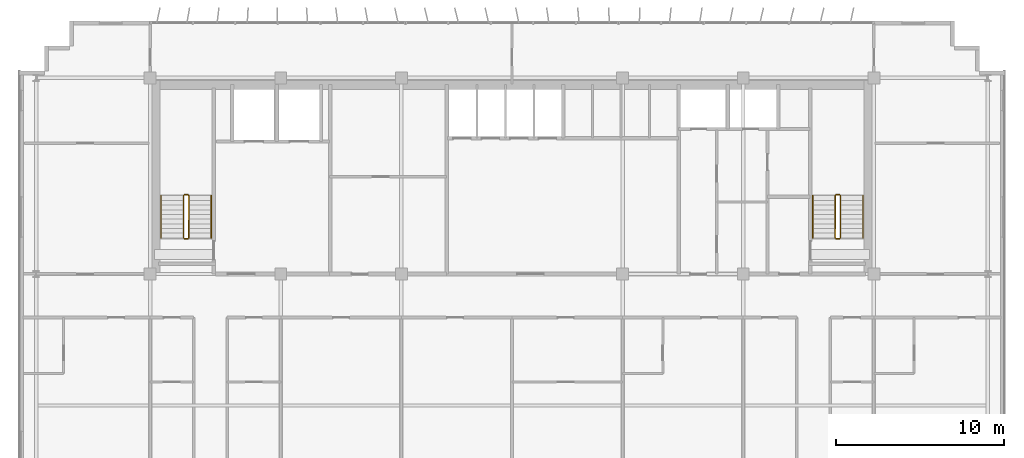
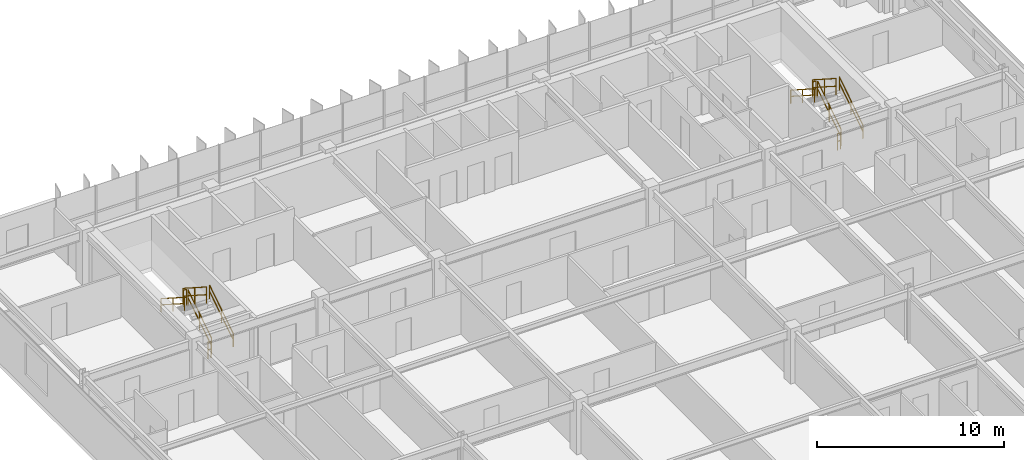
# One storey, part 20 of 20: 12 railings.
"""IFC4 building model written with IfcOpenShell, lengths in metres."""

import ifcopenshell
import ifcopenshell.guid

model = None  # the IFC model being written
_history = None  # IfcOwnerHistory: only IFC2X3 demands one
_inside = {}  # id of a spatial element -> (the spatial element, [elements in it])
_under = {}  # id of a project, library or spatial element -> (it, [spatial elements below it])
_declared = {}  # id of a project -> (the project, [libraries it declares])
_typed = {}  # id of a type object -> (the type object, [elements of that type])
_made_of = {}  # id of a material, layer set ... -> (it, [elements and type objects made of it])


def new_model(schema):
    """Start an empty IFC model of exactly this schema.

    Asked for "IFC4X3", IfcOpenShell would pick the latest addendum, in which some entities
    have other attributes; the version numbers below select the first issue.
    IFC2X3 requires an IfcOwnerHistory on every rooted entity: one is made here for all.
    """
    global model, _history
    if schema == "IFC4X3":
        model = ifcopenshell.file(schema_version=(4, 3, 0, 0))
    else:
        model = ifcopenshell.file(schema=schema)
    _inside.clear()
    _under.clear()
    _declared.clear()
    _typed.clear()
    _made_of.clear()
    _history = None
    if model.schema == "IFC2X3":
        org = make("IfcOrganization", Name="unknown")
        user = make(
            "IfcPersonAndOrganization",
            ThePerson=make("IfcPerson", FamilyName="unknown"),
            TheOrganization=org,
        )
        app = make(
            "IfcApplication",
            ApplicationDeveloper=org,
            Version="unknown",
            ApplicationFullName="unknown",
            ApplicationIdentifier="unknown",
        )
        _history = make(
            "IfcOwnerHistory",
            OwningUser=user,
            OwningApplication=app,
            ChangeAction="ADDED",
            CreationDate=0,
        )
    return model


def make(cls, **values):
    """One entity of the class cls with the attributes given. An attribute that is None is left unset."""
    return model.create_entity(
        cls, **{name: value for name, value in values.items() if value is not None}
    )


def rooted(cls, **values):
    """An entity with a GlobalId (a new one), such as an element, a storey or a relation."""
    return make(cls, GlobalId=ifcopenshell.guid.new(), OwnerHistory=_history, **values)


def si_unit(unit_type, name, prefix=None):
    """IfcSIUnit, for example si_unit("LENGTHUNIT", "METRE", prefix="MILLI")."""
    return make("IfcSIUnit", UnitType=unit_type, Prefix=prefix, Name=name)


def assignment(units):
    """IfcUnitAssignment: the units of a project."""
    return None if units is None else make("IfcUnitAssignment", Units=units)


def point(xyz):
    """IfcCartesianPoint."""
    return None if xyz is None else make("IfcCartesianPoint", Coordinates=xyz)


def direction(xyz):
    """IfcDirection."""
    return None if xyz is None else make("IfcDirection", DirectionRatios=xyz)


def frame(location, z_axis=None, x_axis=None):
    """IfcAxis2Placement3D, a coordinate frame: its origin and axes. An axis left out is left unset."""
    return make(
        "IfcAxis2Placement3D",
        Location=point(location),
        Axis=direction(z_axis),
        RefDirection=direction(x_axis),
    )


def frame_2d(location, x_axis=None):
    """IfcAxis2Placement2D, a coordinate frame in the plane: its origin and x axis."""
    return make(
        "IfcAxis2Placement2D", Location=point(location), RefDirection=direction(x_axis)
    )


def origin():
    """The frame at (0, 0, 0) with its axes left unset."""
    return frame((0.0, 0.0, 0.0))


def origin_2d():
    """The frame at (0, 0) in the plane with its x axis left unset."""
    return frame_2d((0.0, 0.0))


def place(relative_to, where):
    """IfcLocalPlacement: puts the frame where relative to a parent placement (None: the world)."""
    return make(
        "IfcLocalPlacement", PlacementRelTo=relative_to, RelativePlacement=where
    )


def context(
    kind, dimensions, precision=None, world=None, true_north=None, identifier=None
):
    """IfcGeometricRepresentationContext, for example the 3D "Model" context."""
    return make(
        "IfcGeometricRepresentationContext",
        ContextIdentifier=identifier,
        ContextType=kind,
        CoordinateSpaceDimension=dimensions,
        Precision=precision,
        WorldCoordinateSystem=world,
        TrueNorth=true_north,
    )


def subcontext(parent, identifier, kind, view, scale=None):
    """IfcGeometricRepresentationSubContext, for example "Body" below "Model"."""
    return make(
        "IfcGeometricRepresentationSubContext",
        ContextIdentifier=identifier,
        ContextType=kind,
        ParentContext=parent,
        TargetScale=scale,
        TargetView=view,
    )


def project(units=None, contexts=None):
    """IfcProject with its units and contexts."""
    return rooted(
        "IfcProject",
        Name="project",
        RepresentationContexts=contexts,
        UnitsInContext=assignment(units),
    )


def spatial(cls, under=None, at=None, **own):
    """A site, building, storey or space (cls), placed at a placement, below another one or the project."""
    s = rooted(cls, ObjectPlacement=at, **own)
    if under is not None:
        _under.setdefault(under.id(), (under, []))[1].append(s)
    return s


def profile(cls, at=None, kind="AREA", **sizes):
    """A parametric profile (cls). Its sizes go by their IFC names, for example OverallWidth=200.0."""
    return make(cls, ProfileType=kind, Position=at, **sizes)


def rectangle(**sizes):
    """IfcRectangleProfileDef."""
    return profile("IfcRectangleProfileDef", **sizes)


def extrude(swept, where, along, depth):
    """IfcExtrudedAreaSolid: the profile swept, set in the frame where, extruded along a direction by depth."""
    return make(
        "IfcExtrudedAreaSolid",
        SweptArea=swept,
        Position=where,
        ExtrudedDirection=direction(along),
        Depth=depth,
    )


def shape(context_of_items, identifier, shape_type, items):
    """IfcShapeRepresentation: the items that make up one representation, for example the "Body"."""
    return make(
        "IfcShapeRepresentation",
        ContextOfItems=context_of_items,
        RepresentationIdentifier=identifier,
        RepresentationType=shape_type,
        Items=items,
    )


def material(Name=None, Category=None):
    """IfcMaterial."""
    return make("IfcMaterial", Name=Name, Category=Category)


def made_of(thing, what):
    """Note that an element or type object is made of a material, layer set ...; save() writes the relation."""
    if what is not None:
        _made_of.setdefault(what.id(), (what, []))[1].append(thing)
    return thing


def type_object(cls, material=None, **own):
    """A type object (cls), such as IfcWallType, which elements share."""
    return made_of(rooted(cls, **own), material)


def element(
    cls,
    number,
    at=None,
    inside=None,
    cuts=None,
    type_object=None,
    material=None,
    context=None,
    identifier="Body",
    shape_type=None,
    held_by="IfcProductDefinitionShape",
    body=None,
    shapes=None,
    **own,
):
    """One element of the class cls, such as IfcWall. Its Tag is "e" and its number.

    at: its placement. inside: the storey or other place that contains it. cuts: it is an
    opening in that element (IfcRelVoidsElement). A single representation is given by context,
    identifier, shape_type and body (its items); several are given by shapes. held_by: the class
    of the entity that holds the representations. save() writes the other relations.
    """
    e = rooted(cls, Tag="e%d" % number, ObjectPlacement=at, **own)
    if body is not None:
        shapes = [shape(context, identifier, shape_type, body)]
    if shapes is not None:
        e.Representation = make(held_by, Representations=shapes)
    if inside is not None:
        _inside.setdefault(inside.id(), (inside, []))[1].append(e)
    if cuts is not None:
        rooted(
            "IfcRelVoidsElement", RelatingBuildingElement=cuts, RelatedOpeningElement=e
        )
    if type_object is not None:
        _typed.setdefault(type_object.id(), (type_object, []))[1].append(e)
    return made_of(e, material)


def aggregate(whole, parts):
    """IfcRelAggregates: a whole, such as a stair, and the parts it consists of."""
    return rooted("IfcRelAggregates", RelatingObject=whole, RelatedObjects=parts)


def save(model, path):
    """Write the relations noted so far, then the file.

    IfcRelAggregates (storeys below a building ...), IfcRelContainedInSpatialStructure (elements
    in a storey), IfcRelDefinesByType, IfcRelAssociatesMaterial and IfcRelDeclares: one each for
    every whole, place, type object, material and project.
    """
    for whole, parts in _under.values():
        aggregate(whole, parts)
    for where, things in _inside.values():
        rooted(
            "IfcRelContainedInSpatialStructure",
            RelatedElements=things,
            RelatingStructure=where,
        )
    for kind, things in _typed.values():
        rooted("IfcRelDefinesByType", RelatedObjects=things, RelatingType=kind)
    for what, things in _made_of.values():
        rooted("IfcRelAssociatesMaterial", RelatedObjects=things, RelatingMaterial=what)
    for by, libraries in _declared.values():
        rooted("IfcRelDeclares", RelatingContext=by, RelatedDefinitions=libraries)
    model.write(path)


model = new_model("IFC4")

# Units and contexts
model_context = context("Model", 3, precision=1e-05, world=origin(), true_north=direction((0.0, 1.0)))
body_context = subcontext(model_context, "Body", "Model", "MODEL_VIEW")
ifc_project = project(units=[si_unit("LENGTHUNIT", "METRE"), si_unit("AREAUNIT", "SQUARE_METRE"), si_unit("VOLUMEUNIT", "CUBIC_METRE"), si_unit("PLANEANGLEUNIT", "RADIAN"), si_unit("MASSUNIT", "GRAM", prefix="KILO")], contexts=[model_context])

# Site, building, storey
site_placement = place(None, origin())
site = spatial("IfcSite", under=ifc_project, at=site_placement, CompositionType="ELEMENT")
building_placement = place(site_placement, origin())
building = spatial("IfcBuilding", under=site, at=building_placement, Name="Trelvane Seafront Commons", CompositionType="ELEMENT")
storey_placement = place(building_placement, frame((0.0, 0.0, 164.5)))
storey = spatial("IfcBuildingStorey", under=building, at=storey_placement, Name="L43", CompositionType="ELEMENT", Elevation=164.5)

# Railings
ifc_material = material(Name="Stainless steel balustrade", Category="steel")
railing_type_1 = type_object("IfcRailingType", Name="ARCH-SRL-GUARD", PredefinedType="GUARDRAIL", material=ifc_material)
railing_1_placement = place(storey_placement, frame((17.89990234375, 35.550048828125, 0.179931640625)))
element("IfcRailing", 1, at=railing_1_placement, inside=storey, type_object=railing_type_1, Name="L43 ST-1 stair guard 1", PredefinedType="GUARDRAIL", context=body_context, shape_type="SweptSolid", body=[
    extrude(rectangle(XDim=0.048095703125, YDim=0.048095703125, at=origin_2d()), frame((0.0, 0.0, 1.076171875), z_axis=(0.0, 0.841162588446, 0.540782303519), x_axis=(-1.0, 0.0, 0.0)), (0.0, 0.0, 1.0), 2.995849609375),
    extrude(rectangle(XDim=0.048095703125, YDim=0.048095703125, at=origin_2d()), frame((0.0, 0.0, 0.572021484375), z_axis=(0.0, 0.841162588446, 0.540782303519), x_axis=(-1.0, 0.0, 0.0)), (0.0, 0.0, 1.0), 2.995849609375),
    extrude(rectangle(XDim=0.0419921875, YDim=0.0419921875, at=origin_2d()), origin(), (0.0, 0.0, 1.0), 1.076171875),
    extrude(rectangle(XDim=0.0419921875, YDim=0.0419921875, at=origin_2d()), frame((0.0, 1.260009765625, 0.81005859375)), (0.0, 0.0, 1.0), 1.076171875),
    extrude(rectangle(XDim=0.0419921875, YDim=0.0419921875, at=origin_2d()), frame((0.0, 2.52001953125, 1.6201171875)), (0.0, 0.0, 1.0), 1.076171875),
])
railing_2_placement = place(storey_placement, frame((17.85009765625, 38.1201171875, 1.800048828125)))
element("IfcRailing", 2, at=railing_2_placement, inside=storey, type_object=railing_type_1, Name="L43 ST-1 stair guard 2", PredefinedType="GUARDRAIL", context=body_context, shape_type="SweptSolid", body=[
    extrude(rectangle(XDim=0.048095703125, YDim=0.048095703125, at=origin_2d()), frame((0.0, 0.0, 1.076171875), z_axis=(-1.0, 0.0, 0.0), x_axis=(0.0, -1.0, 0.0)), (0.0, 0.0, 1.0), 0.2001953125),
    extrude(rectangle(XDim=0.048095703125, YDim=0.048095703125, at=origin_2d()), frame((0.0, 0.0, 0.572021484375), z_axis=(-1.0, 0.0, 0.0), x_axis=(0.0, -1.0, 0.0)), (0.0, 0.0, 1.0), 0.2001953125),
    extrude(rectangle(XDim=0.0419921875, YDim=0.0419921875, at=origin_2d()), origin(), (0.0, 0.0, 1.0), 1.076171875),
    extrude(rectangle(XDim=0.0419921875, YDim=0.0419921875, at=origin_2d()), frame((-0.2001953125, 0.0, 0.0)), (0.0, 0.0, 1.0), 1.076171875),
])
railing_3_placement = place(storey_placement, frame((17.60009765625, 38.070068359375, 1.97998046875)))
element("IfcRailing", 3, at=railing_3_placement, inside=storey, type_object=railing_type_1, Name="L43 ST-1 stair guard 3", PredefinedType="GUARDRAIL", context=body_context, shape_type="SweptSolid", body=[
    extrude(rectangle(XDim=0.048095703125, YDim=0.048095703125, at=origin_2d()), frame((0.0, 0.0, 1.076171875), z_axis=(0.0, -0.841162588446, 0.540782303519), x_axis=(1.0, 0.0, 0.0)), (0.0, 0.0, 1.0), 2.995849609375),
    extrude(rectangle(XDim=0.048095703125, YDim=0.048095703125, at=origin_2d()), frame((0.0, 0.0, 0.572021484375), z_axis=(0.0, -0.841162588446, 0.540782303519), x_axis=(1.0, 0.0, 0.0)), (0.0, 0.0, 1.0), 2.995849609375),
    extrude(rectangle(XDim=0.0419921875, YDim=0.0419921875, at=origin_2d()), origin(), (0.0, 0.0, 1.0), 1.076171875),
    extrude(rectangle(XDim=0.0419921875, YDim=0.0419921875, at=origin_2d()), frame((0.0, -1.260009765625, 0.81005859375)), (0.0, 0.0, 1.0), 1.076171875),
    extrude(rectangle(XDim=0.0419921875, YDim=0.0419921875, at=origin_2d()), frame((0.0, -2.52001953125, 1.6201171875)), (0.0, 0.0, 1.0), 1.076171875),
])
railing_4_placement = place(storey_placement, frame((17.85009765625, 35.5, 0.0)))
element("IfcRailing", 4, at=railing_4_placement, inside=storey, type_object=railing_type_1, Name="L43 ST-1 stair guard 4", PredefinedType="GUARDRAIL", context=body_context, shape_type="SweptSolid", body=[
    extrude(rectangle(XDim=0.048095703125, YDim=0.048095703125, at=origin_2d()), frame((0.0, 0.0, 1.076171875), z_axis=(-1.0, 0.0, 0.0), x_axis=(0.0, -1.0, 0.0)), (0.0, 0.0, 1.0), 0.2001953125),
    extrude(rectangle(XDim=0.048095703125, YDim=0.048095703125, at=origin_2d()), frame((0.0, 0.0, 0.572021484375), z_axis=(-1.0, 0.0, 0.0), x_axis=(0.0, -1.0, 0.0)), (0.0, 0.0, 1.0), 0.2001953125),
    extrude(rectangle(XDim=0.0419921875, YDim=0.0419921875, at=origin_2d()), origin(), (0.0, 0.0, 1.0), 1.076171875),
    extrude(rectangle(XDim=0.0419921875, YDim=0.0419921875, at=origin_2d()), frame((-0.2001953125, 0.0, 0.0)), (0.0, 0.0, 1.0), 1.076171875),
])
railing_5_placement = place(storey_placement, frame((56.800048828125, 35.550048828125, 0.179931640625)))
element("IfcRailing", 5, at=railing_5_placement, inside=storey, type_object=railing_type_1, Name="L43 ST-2 stair guard 1", PredefinedType="GUARDRAIL", context=body_context, shape_type="SweptSolid", body=[
    extrude(rectangle(XDim=0.048095703125, YDim=0.048095703125, at=origin_2d()), frame((0.0, 0.0, 1.076171875), z_axis=(0.0, 0.841162588446, 0.540782303519), x_axis=(-1.0, 0.0, 0.0)), (0.0, 0.0, 1.0), 2.995849609375),
    extrude(rectangle(XDim=0.048095703125, YDim=0.048095703125, at=origin_2d()), frame((0.0, 0.0, 0.572021484375), z_axis=(0.0, 0.841162588446, 0.540782303519), x_axis=(-1.0, 0.0, 0.0)), (0.0, 0.0, 1.0), 2.995849609375),
    extrude(rectangle(XDim=0.0419921875, YDim=0.0419921875, at=origin_2d()), origin(), (0.0, 0.0, 1.0), 1.076171875),
    extrude(rectangle(XDim=0.0419921875, YDim=0.0419921875, at=origin_2d()), frame((0.0, 1.260009765625, 0.81005859375)), (0.0, 0.0, 1.0), 1.076171875),
    extrude(rectangle(XDim=0.0419921875, YDim=0.0419921875, at=origin_2d()), frame((0.0, 2.52001953125, 1.6201171875)), (0.0, 0.0, 1.0), 1.076171875),
])
railing_6_placement = place(storey_placement, frame((56.75, 38.1201171875, 1.800048828125)))
element("IfcRailing", 6, at=railing_6_placement, inside=storey, type_object=railing_type_1, Name="L43 ST-2 stair guard 2", PredefinedType="GUARDRAIL", context=body_context, shape_type="SweptSolid", body=[
    extrude(rectangle(XDim=0.048095703125, YDim=0.048095703125, at=origin_2d()), frame((0.0, 0.0, 1.076171875), z_axis=(-1.0, 0.0, 0.0), x_axis=(0.0, -1.0, 0.0)), (0.0, 0.0, 1.0), 0.199951171875),
    extrude(rectangle(XDim=0.048095703125, YDim=0.048095703125, at=origin_2d()), frame((0.0, 0.0, 0.572021484375), z_axis=(-1.0, 0.0, 0.0), x_axis=(0.0, -1.0, 0.0)), (0.0, 0.0, 1.0), 0.199951171875),
    extrude(rectangle(XDim=0.0419921875, YDim=0.0419921875, at=origin_2d()), origin(), (0.0, 0.0, 1.0), 1.076171875),
    extrude(rectangle(XDim=0.0419921875, YDim=0.0419921875, at=origin_2d()), frame((-0.199951171875, 0.0, 0.0)), (0.0, 0.0, 1.0), 1.076171875),
])
railing_7_placement = place(storey_placement, frame((56.5, 38.070068359375, 1.97998046875)))
element("IfcRailing", 7, at=railing_7_placement, inside=storey, type_object=railing_type_1, Name="L43 ST-2 stair guard 3", PredefinedType="GUARDRAIL", context=body_context, shape_type="SweptSolid", body=[
    extrude(rectangle(XDim=0.048095703125, YDim=0.048095703125, at=origin_2d()), frame((0.0, 0.0, 1.076171875), z_axis=(0.0, -0.841162588446, 0.540782303519), x_axis=(1.0, 0.0, 0.0)), (0.0, 0.0, 1.0), 2.995849609375),
    extrude(rectangle(XDim=0.048095703125, YDim=0.048095703125, at=origin_2d()), frame((0.0, 0.0, 0.572021484375), z_axis=(0.0, -0.841162588446, 0.540782303519), x_axis=(1.0, 0.0, 0.0)), (0.0, 0.0, 1.0), 2.995849609375),
    extrude(rectangle(XDim=0.0419921875, YDim=0.0419921875, at=origin_2d()), origin(), (0.0, 0.0, 1.0), 1.076171875),
    extrude(rectangle(XDim=0.0419921875, YDim=0.0419921875, at=origin_2d()), frame((0.0, -1.260009765625, 0.81005859375)), (0.0, 0.0, 1.0), 1.076171875),
    extrude(rectangle(XDim=0.0419921875, YDim=0.0419921875, at=origin_2d()), frame((0.0, -2.52001953125, 1.6201171875)), (0.0, 0.0, 1.0), 1.076171875),
])
railing_8_placement = place(storey_placement, frame((56.75, 35.5, 0.0)))
element("IfcRailing", 8, at=railing_8_placement, inside=storey, type_object=railing_type_1, Name="L43 ST-2 stair guard 4", PredefinedType="GUARDRAIL", context=body_context, shape_type="SweptSolid", body=[
    extrude(rectangle(XDim=0.048095703125, YDim=0.048095703125, at=origin_2d()), frame((0.0, 0.0, 1.076171875), z_axis=(-1.0, 0.0, 0.0), x_axis=(0.0, -1.0, 0.0)), (0.0, 0.0, 1.0), 0.199951171875),
    extrude(rectangle(XDim=0.048095703125, YDim=0.048095703125, at=origin_2d()), frame((0.0, 0.0, 0.572021484375), z_axis=(-1.0, 0.0, 0.0), x_axis=(0.0, -1.0, 0.0)), (0.0, 0.0, 1.0), 0.199951171875),
    extrude(rectangle(XDim=0.0419921875, YDim=0.0419921875, at=origin_2d()), origin(), (0.0, 0.0, 1.0), 1.076171875),
    extrude(rectangle(XDim=0.0419921875, YDim=0.0419921875, at=origin_2d()), frame((-0.199951171875, 0.0, 0.0)), (0.0, 0.0, 1.0), 1.076171875),
])
railing_type_2 = type_object("IfcRailingType", Name="ARCH-SRL-HAND", PredefinedType="HANDRAIL", material=ifc_material)
railing_9_placement = place(storey_placement, frame((19.25, 35.550048828125, 0.179931640625)))
element("IfcRailing", 9, at=railing_9_placement, inside=storey, type_object=railing_type_2, Name="L43 ST-1 stair handrail 1", PredefinedType="HANDRAIL", context=body_context, shape_type="SweptSolid", body=[
    extrude(rectangle(XDim=0.048095703125, YDim=0.048095703125, at=origin_2d()), frame((0.0, 0.0, 0.8759765625), z_axis=(0.0, 0.841162588446, 0.540782303519), x_axis=(-1.0, 0.0, 0.0)), (0.0, 0.0, 1.0), 2.995849609375),
    extrude(rectangle(XDim=0.048095703125, YDim=0.048095703125, at=origin_2d()), frame((0.0, 0.0, 0.468017578125), z_axis=(0.0, 0.841162588446, 0.540782303519), x_axis=(-1.0, 0.0, 0.0)), (0.0, 0.0, 1.0), 2.995849609375),
    extrude(rectangle(XDim=0.0419921875, YDim=0.0419921875, at=origin_2d()), origin(), (0.0, 0.0, 1.0), 0.8759765625),
    extrude(rectangle(XDim=0.0419921875, YDim=0.0419921875, at=origin_2d()), frame((0.0, 1.260009765625, 0.81005859375)), (0.0, 0.0, 1.0), 0.8759765625),
    extrude(rectangle(XDim=0.0419921875, YDim=0.0419921875, at=origin_2d()), frame((0.0, 2.52001953125, 1.6201171875)), (0.0, 0.0, 1.0), 0.8759765625),
])
railing_10_placement = place(storey_placement, frame((16.25, 38.070068359375, 1.97998046875)))
element("IfcRailing", 10, at=railing_10_placement, inside=storey, type_object=railing_type_2, Name="L43 ST-1 stair handrail 2", PredefinedType="HANDRAIL", context=body_context, shape_type="SweptSolid", body=[
    extrude(rectangle(XDim=0.048095703125, YDim=0.048095703125, at=origin_2d()), frame((0.0, 0.0, 0.8759765625), z_axis=(0.0, -0.841162588446, 0.540782303519), x_axis=(1.0, 0.0, 0.0)), (0.0, 0.0, 1.0), 2.995849609375),
    extrude(rectangle(XDim=0.048095703125, YDim=0.048095703125, at=origin_2d()), frame((0.0, 0.0, 0.468017578125), z_axis=(0.0, -0.841162588446, 0.540782303519), x_axis=(1.0, 0.0, 0.0)), (0.0, 0.0, 1.0), 2.995849609375),
    extrude(rectangle(XDim=0.0419921875, YDim=0.0419921875, at=origin_2d()), origin(), (0.0, 0.0, 1.0), 0.8759765625),
    extrude(rectangle(XDim=0.0419921875, YDim=0.0419921875, at=origin_2d()), frame((0.0, -1.260009765625, 0.81005859375)), (0.0, 0.0, 1.0), 0.8759765625),
    extrude(rectangle(XDim=0.0419921875, YDim=0.0419921875, at=origin_2d()), frame((0.0, -2.52001953125, 1.6201171875)), (0.0, 0.0, 1.0), 0.8759765625),
])
railing_11_placement = place(storey_placement, frame((58.14990234375, 35.550048828125, 0.179931640625)))
element("IfcRailing", 11, at=railing_11_placement, inside=storey, type_object=railing_type_2, Name="L43 ST-2 stair handrail 1", PredefinedType="HANDRAIL", context=body_context, shape_type="SweptSolid", body=[
    extrude(rectangle(XDim=0.048095703125, YDim=0.048095703125, at=origin_2d()), frame((0.0, 0.0, 0.8759765625), z_axis=(0.0, 0.841162588446, 0.540782303519), x_axis=(-1.0, 0.0, 0.0)), (0.0, 0.0, 1.0), 2.995849609375),
    extrude(rectangle(XDim=0.048095703125, YDim=0.048095703125, at=origin_2d()), frame((0.0, 0.0, 0.468017578125), z_axis=(0.0, 0.841162588446, 0.540782303519), x_axis=(-1.0, 0.0, 0.0)), (0.0, 0.0, 1.0), 2.995849609375),
    extrude(rectangle(XDim=0.0419921875, YDim=0.0419921875, at=origin_2d()), origin(), (0.0, 0.0, 1.0), 0.8759765625),
    extrude(rectangle(XDim=0.0419921875, YDim=0.0419921875, at=origin_2d()), frame((0.0, 1.260009765625, 0.81005859375)), (0.0, 0.0, 1.0), 0.8759765625),
    extrude(rectangle(XDim=0.0419921875, YDim=0.0419921875, at=origin_2d()), frame((0.0, 2.52001953125, 1.6201171875)), (0.0, 0.0, 1.0), 0.8759765625),
])
railing_12_placement = place(storey_placement, frame((55.14990234375, 38.070068359375, 1.97998046875)))
element("IfcRailing", 12, at=railing_12_placement, inside=storey, type_object=railing_type_2, Name="L43 ST-2 stair handrail 2", PredefinedType="HANDRAIL", context=body_context, shape_type="SweptSolid", body=[
    extrude(rectangle(XDim=0.048095703125, YDim=0.048095703125, at=origin_2d()), frame((0.0, 0.0, 0.8759765625), z_axis=(0.0, -0.841162588446, 0.540782303519), x_axis=(1.0, 0.0, 0.0)), (0.0, 0.0, 1.0), 2.995849609375),
    extrude(rectangle(XDim=0.048095703125, YDim=0.048095703125, at=origin_2d()), frame((0.0, 0.0, 0.468017578125), z_axis=(0.0, -0.841162588446, 0.540782303519), x_axis=(1.0, 0.0, 0.0)), (0.0, 0.0, 1.0), 2.995849609375),
    extrude(rectangle(XDim=0.0419921875, YDim=0.0419921875, at=origin_2d()), origin(), (0.0, 0.0, 1.0), 0.8759765625),
    extrude(rectangle(XDim=0.0419921875, YDim=0.0419921875, at=origin_2d()), frame((0.0, -1.260009765625, 0.81005859375)), (0.0, 0.0, 1.0), 0.8759765625),
    extrude(rectangle(XDim=0.0419921875, YDim=0.0419921875, at=origin_2d()), frame((0.0, -2.52001953125, 1.6201171875)), (0.0, 0.0, 1.0), 0.8759765625),
])

save(model, "model.ifc")
